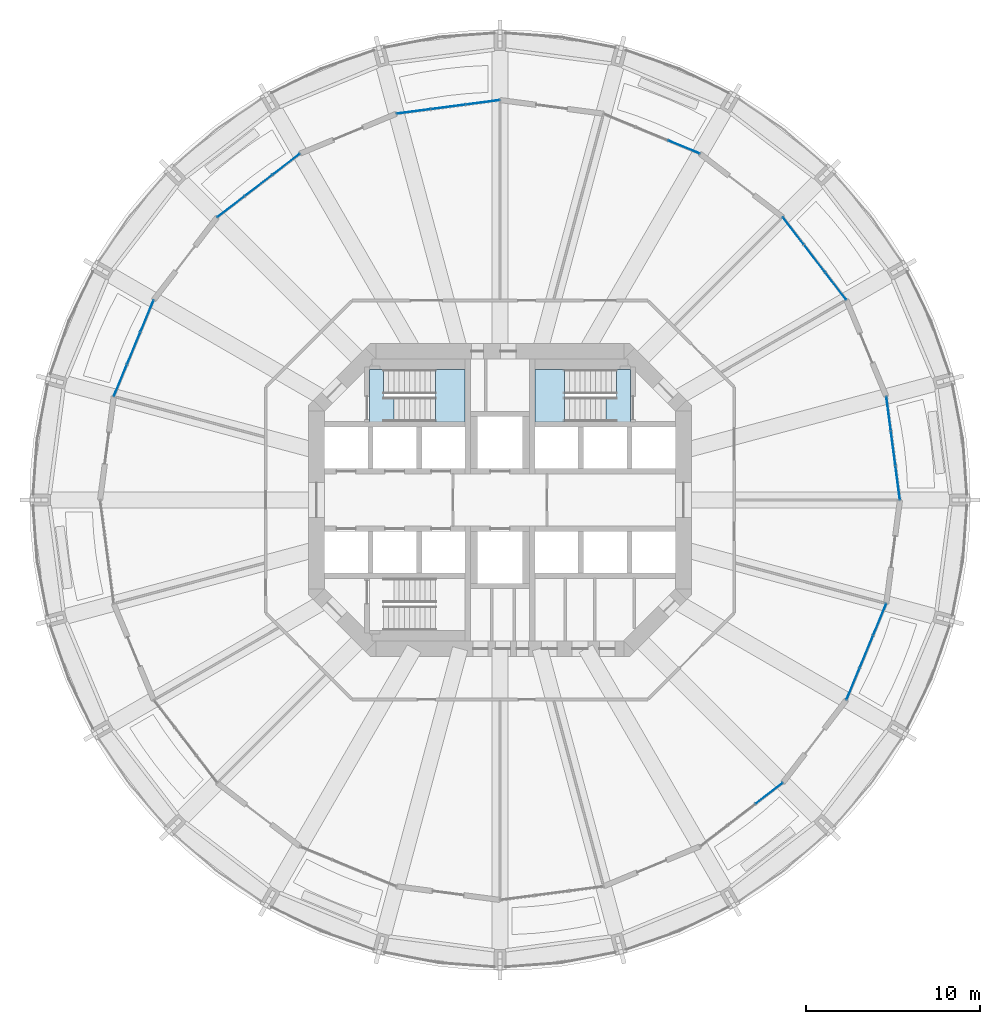
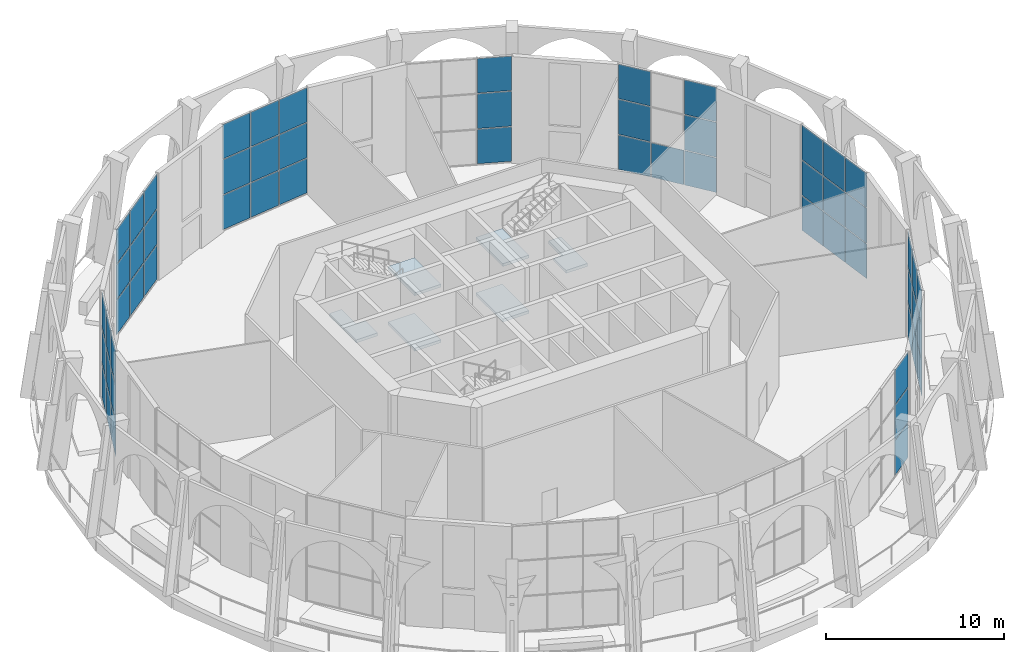
# One storey, part 11 of 19: 58 plates, 6 slabs, 10 elements without a shape of their own.
"""IFC4 building model written with IfcOpenShell, lengths in metres."""

from ifc_helpers import new_model, si_unit, direction, frame, origin, origin_2d, place, context, subcontext, project, spatial, polyline, rectangle, outline, extrude, material, layer, layer_set, type_object, element, aggregate, save


model = new_model("IFC4")

# Units and contexts
model_context = context("Model", 3, precision=1e-05, world=origin(), true_north=direction((0.0, 1.0)))
body_context = subcontext(model_context, "Body", "Model", "MODEL_VIEW")
ifc_project = project(units=[si_unit("LENGTHUNIT", "METRE"), si_unit("AREAUNIT", "SQUARE_METRE"), si_unit("VOLUMEUNIT", "CUBIC_METRE"), si_unit("PLANEANGLEUNIT", "RADIAN"), si_unit("MASSUNIT", "GRAM", prefix="KILO")], contexts=[model_context])

# Site, building, storey
site_placement = place(None, origin())
site = spatial("IfcSite", under=ifc_project, at=site_placement, CompositionType="ELEMENT")
building_placement = place(site_placement, origin())
building = spatial("IfcBuilding", under=site, at=building_placement, Name="Torre Triforio", CompositionType="ELEMENT")
storey_placement = place(building_placement, frame((0.0, 0.0, 79.0)))
storey = spatial("IfcBuildingStorey", under=building, at=storey_placement, Name="L17", CompositionType="ELEMENT", Elevation=79.0)

# Curtain wall, plates
ifc_material_1 = material(Name="Aluminium mullion and transom frame with clear laminated glass", Category="aluminium")
curtain_wall_type = type_object("IfcCurtainWallType", Name="Sky garden conservatory wall ECW3", PredefinedType="NOTDEFINED", material=ifc_material_1)
curtain_wall_1_placement = place(storey_placement, origin())
curtain_wall_1 = element("IfcCurtainWall", 1, at=curtain_wall_1_placement, inside=storey, type_object=curtain_wall_type, Name="Conservatory wall L17 bay 01", PredefinedType="NOTDEFINED")
ifc_material_2 = material(Name="Clear laminated glass", Category="glass")
ifc_layer_1 = layer(ifc_material_2, 0.028076171875)
ifc_layer_set_1 = layer_set([ifc_layer_1], Name="Clear laminated glass")
plate_type = type_object("IfcPlateType", Name="ECW3 glass panel 28", PredefinedType="CURTAIN_PANEL", material=ifc_layer_set_1)
plate_1_placement = place(storey_placement, frame((22.8701171875, 0.9873046875, 0.06005859375), z_axis=(0.0, 0.0, 1.0), x_axis=(-0.130520630599, 0.991445593559, 0.0)))
plate_1 = element("IfcPlate", 2, at=plate_1_placement, type_object=plate_type, Name="ECW3 panel 1.1", PredefinedType="CURTAIN_PANEL", context=body_context, shape_type="SweptSolid", body=[
    extrude(rectangle(XDim=1.931396484375, YDim=0.028076171875, at=origin_2d()), origin(), (0.0, 0.0, 1.0), 2.35009765625),
])
plate_2_placement = place(storey_placement, frame((22.8701171875, 0.9873046875, 2.469970703125), z_axis=(0.0, 0.0, 1.0), x_axis=(-0.130520630599, 0.991445593559, 0.0)))
plate_2 = element("IfcPlate", 3, at=plate_2_placement, type_object=plate_type, Name="ECW3 panel 1.2", PredefinedType="CURTAIN_PANEL", context=body_context, shape_type="SweptSolid", body=[
    extrude(rectangle(XDim=1.931396484375, YDim=0.028076171875, at=origin_2d()), origin(), (0.0, 0.0, 1.0), 2.3798828125),
])
plate_3_placement = place(storey_placement, frame((22.8701171875, 0.9873046875, 4.909912109375), z_axis=(0.0, 0.0, 1.0), x_axis=(-0.130520630599, 0.991445593559, 0.0)))
plate_3 = element("IfcPlate", 4, at=plate_3_placement, type_object=plate_type, Name="ECW3 panel 1.3", PredefinedType="CURTAIN_PANEL", context=body_context, shape_type="SweptSolid", body=[
    extrude(rectangle(XDim=1.931396484375, YDim=0.028076171875, at=origin_2d()), origin(), (0.0, 0.0, 1.0), 2.35009765625),
])
plate_4_placement = place(storey_placement, frame((22.608154296875, 2.9765625, 0.06005859375), z_axis=(0.0, 0.0, 1.0), x_axis=(-0.130520630599, 0.991445593559, 0.0)))
plate_4 = element("IfcPlate", 5, at=plate_4_placement, type_object=plate_type, Name="ECW3 panel 2.1", PredefinedType="CURTAIN_PANEL", context=body_context, shape_type="SweptSolid", body=[
    extrude(rectangle(XDim=1.96142578125, YDim=0.028076171875, at=origin_2d()), origin(), (0.0, 0.0, 1.0), 2.35009765625),
])
plate_5_placement = place(storey_placement, frame((22.608154296875, 2.9765625, 2.469970703125), z_axis=(0.0, 0.0, 1.0), x_axis=(-0.130520630599, 0.991445593559, 0.0)))
plate_5 = element("IfcPlate", 6, at=plate_5_placement, type_object=plate_type, Name="ECW3 panel 2.2", PredefinedType="CURTAIN_PANEL", context=body_context, shape_type="SweptSolid", body=[
    extrude(rectangle(XDim=1.96142578125, YDim=0.028076171875, at=origin_2d()), origin(), (0.0, 0.0, 1.0), 2.3798828125),
])
plate_6_placement = place(storey_placement, frame((22.608154296875, 2.9765625, 4.909912109375), z_axis=(0.0, 0.0, 1.0), x_axis=(-0.130520630599, 0.991445593559, 0.0)))
plate_6 = element("IfcPlate", 7, at=plate_6_placement, type_object=plate_type, Name="ECW3 panel 2.3", PredefinedType="CURTAIN_PANEL", context=body_context, shape_type="SweptSolid", body=[
    extrude(rectangle(XDim=1.96142578125, YDim=0.028076171875, at=origin_2d()), origin(), (0.0, 0.0, 1.0), 2.35009765625),
])
plate_7_placement = place(storey_placement, frame((22.34619140625, 4.965576171875, 0.06005859375), z_axis=(0.0, 0.0, 1.0), x_axis=(-0.130520630599, 0.991445593559, 0.0)))
plate_7 = element("IfcPlate", 8, at=plate_7_placement, type_object=plate_type, Name="ECW3 panel 3.1", PredefinedType="CURTAIN_PANEL", context=body_context, shape_type="SweptSolid", body=[
    extrude(rectangle(XDim=1.931396484375, YDim=0.028076171875, at=origin_2d()), origin(), (0.0, 0.0, 1.0), 2.35009765625),
])
plate_8_placement = place(storey_placement, frame((22.34619140625, 4.965576171875, 2.469970703125), z_axis=(0.0, 0.0, 1.0), x_axis=(-0.130520630599, 0.991445593559, 0.0)))
plate_8 = element("IfcPlate", 9, at=plate_8_placement, type_object=plate_type, Name="ECW3 panel 3.2", PredefinedType="CURTAIN_PANEL", context=body_context, shape_type="SweptSolid", body=[
    extrude(rectangle(XDim=1.931396484375, YDim=0.028076171875, at=origin_2d()), origin(), (0.0, 0.0, 1.0), 2.3798828125),
])
plate_9_placement = place(storey_placement, frame((22.34619140625, 4.965576171875, 4.909912109375), z_axis=(0.0, 0.0, 1.0), x_axis=(-0.130520630599, 0.991445593559, 0.0)))
plate_9 = element("IfcPlate", 10, at=plate_9_placement, type_object=plate_type, Name="ECW3 panel 3.3", PredefinedType="CURTAIN_PANEL", context=body_context, shape_type="SweptSolid", body=[
    extrude(rectangle(XDim=1.931396484375, YDim=0.028076171875, at=origin_2d()), origin(), (0.0, 0.0, 1.0), 2.35009765625),
])
aggregate(curtain_wall_1, [plate_1, plate_2, plate_3, plate_4, plate_5, plate_6, plate_7, plate_8, plate_9])

curtain_wall_2_placement = place(storey_placement, origin())
curtain_wall_2 = element("IfcCurtainWall", 11, at=curtain_wall_2_placement, inside=storey, type_object=curtain_wall_type, Name="Conservatory wall L17 bay 03", PredefinedType="NOTDEFINED")
plate_10_placement = place(storey_placement, frame((19.3125, 12.2900390625, 0.06005859375), z_axis=(0.0, 0.0, 1.0), x_axis=(-0.608752412461, 0.79336025885, 0.0)))
plate_10 = element("IfcPlate", 12, at=plate_10_placement, type_object=plate_type, Name="ECW3 panel 1.1", PredefinedType="CURTAIN_PANEL", context=body_context, shape_type="SweptSolid", body=[
    extrude(rectangle(XDim=1.931396484375, YDim=0.028076171875, at=origin_2d()), origin(), (0.0, 0.0, 1.0), 2.35009765625),
])
plate_11_placement = place(storey_placement, frame((19.3125, 12.2900390625, 2.469970703125), z_axis=(0.0, 0.0, 1.0), x_axis=(-0.608752412461, 0.79336025885, 0.0)))
plate_11 = element("IfcPlate", 13, at=plate_11_placement, type_object=plate_type, Name="ECW3 panel 1.2", PredefinedType="CURTAIN_PANEL", context=body_context, shape_type="SweptSolid", body=[
    extrude(rectangle(XDim=1.931396484375, YDim=0.028076171875, at=origin_2d()), origin(), (0.0, 0.0, 1.0), 2.3798828125),
])
plate_12_placement = place(storey_placement, frame((19.3125, 12.2900390625, 4.909912109375), z_axis=(0.0, 0.0, 1.0), x_axis=(-0.608752412461, 0.79336025885, 0.0)))
plate_12 = element("IfcPlate", 14, at=plate_12_placement, type_object=plate_type, Name="ECW3 panel 1.3", PredefinedType="CURTAIN_PANEL", context=body_context, shape_type="SweptSolid", body=[
    extrude(rectangle(XDim=1.931396484375, YDim=0.028076171875, at=origin_2d()), origin(), (0.0, 0.0, 1.0), 2.35009765625),
])
plate_13_placement = place(storey_placement, frame((18.091064453125, 13.8818359375, 0.06005859375), z_axis=(0.0, 0.0, 1.0), x_axis=(-0.608752412461, 0.79336025885, 0.0)))
plate_13 = element("IfcPlate", 15, at=plate_13_placement, type_object=plate_type, Name="ECW3 panel 2.1", PredefinedType="CURTAIN_PANEL", context=body_context, shape_type="SweptSolid", body=[
    extrude(rectangle(XDim=1.96142578125, YDim=0.028076171875, at=origin_2d()), origin(), (0.0, 0.0, 1.0), 2.35009765625),
])
plate_14_placement = place(storey_placement, frame((16.86962890625, 15.4736328125, 0.06005859375), z_axis=(0.0, 0.0, 1.0), x_axis=(-0.608752412461, 0.79336025885, 0.0)))
plate_14 = element("IfcPlate", 16, at=plate_14_placement, type_object=plate_type, Name="ECW3 panel 3.1", PredefinedType="CURTAIN_PANEL", context=body_context, shape_type="SweptSolid", body=[
    extrude(rectangle(XDim=1.931396484375, YDim=0.028076171875, at=origin_2d()), origin(), (0.0, 0.0, 1.0), 2.35009765625),
])
plate_15_placement = place(storey_placement, frame((16.86962890625, 15.4736328125, 2.469970703125), z_axis=(0.0, 0.0, 1.0), x_axis=(-0.608752412461, 0.79336025885, 0.0)))
plate_15 = element("IfcPlate", 17, at=plate_15_placement, type_object=plate_type, Name="ECW3 panel 3.2", PredefinedType="CURTAIN_PANEL", context=body_context, shape_type="SweptSolid", body=[
    extrude(rectangle(XDim=1.931396484375, YDim=0.028076171875, at=origin_2d()), origin(), (0.0, 0.0, 1.0), 2.3798828125),
])
plate_16_placement = place(storey_placement, frame((16.86962890625, 15.4736328125, 4.909912109375), z_axis=(0.0, 0.0, 1.0), x_axis=(-0.608752412461, 0.79336025885, 0.0)))
plate_16 = element("IfcPlate", 18, at=plate_16_placement, type_object=plate_type, Name="ECW3 panel 3.3", PredefinedType="CURTAIN_PANEL", context=body_context, shape_type="SweptSolid", body=[
    extrude(rectangle(XDim=1.931396484375, YDim=0.028076171875, at=origin_2d()), origin(), (0.0, 0.0, 1.0), 2.35009765625),
])
aggregate(curtain_wall_2, [plate_10, plate_11, plate_12, plate_13, plate_14, plate_15, plate_16])

curtain_wall_3_placement = place(storey_placement, origin())
curtain_wall_3 = element("IfcCurtainWall", 19, at=curtain_wall_3_placement, inside=storey, type_object=curtain_wall_type, Name="Conservatory wall L17 bay 05", PredefinedType="NOTDEFINED")
plate_17_placement = place(storey_placement, frame((10.580078125, 20.299560546875, 0.06005859375), z_axis=(0.0, 0.0, 1.0), x_axis=(-0.923877952799, 0.382687246105, 0.0)))
plate_17 = element("IfcPlate", 20, at=plate_17_placement, type_object=plate_type, Name="ECW3 panel 1.1", PredefinedType="CURTAIN_PANEL", context=body_context, shape_type="SweptSolid", body=[
    extrude(rectangle(XDim=1.931396484375, YDim=0.028076171875, at=origin_2d()), origin(), (0.0, 0.0, 1.0), 2.35009765625),
])
plate_18_placement = place(storey_placement, frame((10.580078125, 20.299560546875, 2.469970703125), z_axis=(0.0, 0.0, 1.0), x_axis=(-0.923877952799, 0.382687246105, 0.0)))
plate_18 = element("IfcPlate", 21, at=plate_18_placement, type_object=plate_type, Name="ECW3 panel 1.2", PredefinedType="CURTAIN_PANEL", context=body_context, shape_type="SweptSolid", body=[
    extrude(rectangle(XDim=1.931396484375, YDim=0.028076171875, at=origin_2d()), origin(), (0.0, 0.0, 1.0), 2.3798828125),
])
plate_19_placement = place(storey_placement, frame((10.580078125, 20.299560546875, 4.909912109375), z_axis=(0.0, 0.0, 1.0), x_axis=(-0.923877952799, 0.382687246105, 0.0)))
plate_19 = element("IfcPlate", 22, at=plate_19_placement, type_object=plate_type, Name="ECW3 panel 1.3", PredefinedType="CURTAIN_PANEL", context=body_context, shape_type="SweptSolid", body=[
    extrude(rectangle(XDim=1.931396484375, YDim=0.028076171875, at=origin_2d()), origin(), (0.0, 0.0, 1.0), 2.35009765625),
])
aggregate(curtain_wall_3, [plate_17, plate_18, plate_19])

curtain_wall_4_placement = place(storey_placement, origin())
curtain_wall_4 = element("IfcCurtainWall", 23, at=curtain_wall_4_placement, inside=storey, type_object=curtain_wall_type, Name="Conservatory wall L17 bay 07", PredefinedType="NOTDEFINED")
plate_20_placement = place(storey_placement, frame((-0.9873046875, 22.8701171875, 0.06005859375), z_axis=(0.0, 0.0, 1.0), x_axis=(-0.991445593559, -0.130520630599, 0.0)))
plate_20 = element("IfcPlate", 24, at=plate_20_placement, type_object=plate_type, Name="ECW3 panel 1.1", PredefinedType="CURTAIN_PANEL", context=body_context, shape_type="SweptSolid", body=[
    extrude(rectangle(XDim=1.931396484375, YDim=0.028076171875, at=origin_2d()), origin(), (0.0, 0.0, 1.0), 2.35009765625),
])
plate_21_placement = place(storey_placement, frame((-0.9873046875, 22.8701171875, 2.469970703125), z_axis=(0.0, 0.0, 1.0), x_axis=(-0.991445593559, -0.130520630599, 0.0)))
plate_21 = element("IfcPlate", 25, at=plate_21_placement, type_object=plate_type, Name="ECW3 panel 1.2", PredefinedType="CURTAIN_PANEL", context=body_context, shape_type="SweptSolid", body=[
    extrude(rectangle(XDim=1.931396484375, YDim=0.028076171875, at=origin_2d()), origin(), (0.0, 0.0, 1.0), 2.3798828125),
])
plate_22_placement = place(storey_placement, frame((-0.9873046875, 22.8701171875, 4.909912109375), z_axis=(0.0, 0.0, 1.0), x_axis=(-0.991445593559, -0.130520630599, 0.0)))
plate_22 = element("IfcPlate", 26, at=plate_22_placement, type_object=plate_type, Name="ECW3 panel 1.3", PredefinedType="CURTAIN_PANEL", context=body_context, shape_type="SweptSolid", body=[
    extrude(rectangle(XDim=1.931396484375, YDim=0.028076171875, at=origin_2d()), origin(), (0.0, 0.0, 1.0), 2.35009765625),
])
plate_23_placement = place(storey_placement, frame((-2.9765625, 22.608154296875, 0.06005859375), z_axis=(0.0, 0.0, 1.0), x_axis=(-0.991445593559, -0.130520630599, 0.0)))
plate_23 = element("IfcPlate", 27, at=plate_23_placement, type_object=plate_type, Name="ECW3 panel 2.1", PredefinedType="CURTAIN_PANEL", context=body_context, shape_type="SweptSolid", body=[
    extrude(rectangle(XDim=1.96142578125, YDim=0.028076171875, at=origin_2d()), origin(), (0.0, 0.0, 1.0), 2.35009765625),
])
plate_24_placement = place(storey_placement, frame((-2.9765625, 22.608154296875, 2.469970703125), z_axis=(0.0, 0.0, 1.0), x_axis=(-0.991445593559, -0.130520630599, 0.0)))
plate_24 = element("IfcPlate", 28, at=plate_24_placement, type_object=plate_type, Name="ECW3 panel 2.2", PredefinedType="CURTAIN_PANEL", context=body_context, shape_type="SweptSolid", body=[
    extrude(rectangle(XDim=1.96142578125, YDim=0.028076171875, at=origin_2d()), origin(), (0.0, 0.0, 1.0), 2.3798828125),
])
plate_25_placement = place(storey_placement, frame((-2.9765625, 22.608154296875, 4.909912109375), z_axis=(0.0, 0.0, 1.0), x_axis=(-0.991445593559, -0.130520630599, 0.0)))
plate_25 = element("IfcPlate", 29, at=plate_25_placement, type_object=plate_type, Name="ECW3 panel 2.3", PredefinedType="CURTAIN_PANEL", context=body_context, shape_type="SweptSolid", body=[
    extrude(rectangle(XDim=1.96142578125, YDim=0.028076171875, at=origin_2d()), origin(), (0.0, 0.0, 1.0), 2.35009765625),
])
plate_26_placement = place(storey_placement, frame((-4.965576171875, 22.34619140625, 0.06005859375), z_axis=(0.0, 0.0, 1.0), x_axis=(-0.991445593559, -0.130520630599, 0.0)))
plate_26 = element("IfcPlate", 30, at=plate_26_placement, type_object=plate_type, Name="ECW3 panel 3.1", PredefinedType="CURTAIN_PANEL", context=body_context, shape_type="SweptSolid", body=[
    extrude(rectangle(XDim=1.931396484375, YDim=0.028076171875, at=origin_2d()), origin(), (0.0, 0.0, 1.0), 2.35009765625),
])
plate_27_placement = place(storey_placement, frame((-4.965576171875, 22.34619140625, 2.469970703125), z_axis=(0.0, 0.0, 1.0), x_axis=(-0.991445593559, -0.130520630599, 0.0)))
plate_27 = element("IfcPlate", 31, at=plate_27_placement, type_object=plate_type, Name="ECW3 panel 3.2", PredefinedType="CURTAIN_PANEL", context=body_context, shape_type="SweptSolid", body=[
    extrude(rectangle(XDim=1.931396484375, YDim=0.028076171875, at=origin_2d()), origin(), (0.0, 0.0, 1.0), 2.3798828125),
])
plate_28_placement = place(storey_placement, frame((-4.965576171875, 22.34619140625, 4.909912109375), z_axis=(0.0, 0.0, 1.0), x_axis=(-0.991445593559, -0.130520630599, 0.0)))
plate_28 = element("IfcPlate", 32, at=plate_28_placement, type_object=plate_type, Name="ECW3 panel 3.3", PredefinedType="CURTAIN_PANEL", context=body_context, shape_type="SweptSolid", body=[
    extrude(rectangle(XDim=1.931396484375, YDim=0.028076171875, at=origin_2d()), origin(), (0.0, 0.0, 1.0), 2.35009765625),
])
aggregate(curtain_wall_4, [plate_20, plate_21, plate_22, plate_23, plate_24, plate_25, plate_26, plate_27, plate_28])

curtain_wall_5_placement = place(storey_placement, origin())
curtain_wall_5 = element("IfcCurtainWall", 33, at=curtain_wall_5_placement, inside=storey, type_object=curtain_wall_type, Name="Conservatory wall L17 bay 09", PredefinedType="NOTDEFINED")
plate_29_placement = place(storey_placement, frame((-12.2900390625, 19.3125, 0.06005859375), z_axis=(0.0, 0.0, 1.0), x_axis=(-0.79336025885, -0.608752412461, 0.0)))
plate_29 = element("IfcPlate", 34, at=plate_29_placement, type_object=plate_type, Name="ECW3 panel 1.1", PredefinedType="CURTAIN_PANEL", context=body_context, shape_type="SweptSolid", body=[
    extrude(rectangle(XDim=1.931396484375, YDim=0.028076171875, at=origin_2d()), origin(), (0.0, 0.0, 1.0), 2.35009765625),
])
plate_30_placement = place(storey_placement, frame((-12.2900390625, 19.3125, 2.469970703125), z_axis=(0.0, 0.0, 1.0), x_axis=(-0.79336025885, -0.608752412461, 0.0)))
plate_30 = element("IfcPlate", 35, at=plate_30_placement, type_object=plate_type, Name="ECW3 panel 1.2", PredefinedType="CURTAIN_PANEL", context=body_context, shape_type="SweptSolid", body=[
    extrude(rectangle(XDim=1.931396484375, YDim=0.028076171875, at=origin_2d()), origin(), (0.0, 0.0, 1.0), 2.3798828125),
])
plate_31_placement = place(storey_placement, frame((-12.2900390625, 19.3125, 4.909912109375), z_axis=(0.0, 0.0, 1.0), x_axis=(-0.79336025885, -0.608752412461, 0.0)))
plate_31 = element("IfcPlate", 36, at=plate_31_placement, type_object=plate_type, Name="ECW3 panel 1.3", PredefinedType="CURTAIN_PANEL", context=body_context, shape_type="SweptSolid", body=[
    extrude(rectangle(XDim=1.931396484375, YDim=0.028076171875, at=origin_2d()), origin(), (0.0, 0.0, 1.0), 2.35009765625),
])
plate_32_placement = place(storey_placement, frame((-13.8818359375, 18.091064453125, 0.06005859375), z_axis=(0.0, 0.0, 1.0), x_axis=(-0.79336025885, -0.608752412461, 0.0)))
plate_32 = element("IfcPlate", 37, at=plate_32_placement, type_object=plate_type, Name="ECW3 panel 2.1", PredefinedType="CURTAIN_PANEL", context=body_context, shape_type="SweptSolid", body=[
    extrude(rectangle(XDim=1.96142578125, YDim=0.028076171875, at=origin_2d()), origin(), (0.0, 0.0, 1.0), 2.35009765625),
])
plate_33_placement = place(storey_placement, frame((-13.8818359375, 18.091064453125, 2.469970703125), z_axis=(0.0, 0.0, 1.0), x_axis=(-0.79336025885, -0.608752412461, 0.0)))
plate_33 = element("IfcPlate", 38, at=plate_33_placement, type_object=plate_type, Name="ECW3 panel 2.2", PredefinedType="CURTAIN_PANEL", context=body_context, shape_type="SweptSolid", body=[
    extrude(rectangle(XDim=1.96142578125, YDim=0.028076171875, at=origin_2d()), origin(), (0.0, 0.0, 1.0), 2.3798828125),
])
plate_34_placement = place(storey_placement, frame((-13.8818359375, 18.091064453125, 4.909912109375), z_axis=(0.0, 0.0, 1.0), x_axis=(-0.79336025885, -0.608752412461, 0.0)))
plate_34 = element("IfcPlate", 39, at=plate_34_placement, type_object=plate_type, Name="ECW3 panel 2.3", PredefinedType="CURTAIN_PANEL", context=body_context, shape_type="SweptSolid", body=[
    extrude(rectangle(XDim=1.96142578125, YDim=0.028076171875, at=origin_2d()), origin(), (0.0, 0.0, 1.0), 2.35009765625),
])
plate_35_placement = place(storey_placement, frame((-15.4736328125, 16.86962890625, 0.06005859375), z_axis=(0.0, 0.0, 1.0), x_axis=(-0.79336025885, -0.608752412461, 0.0)))
plate_35 = element("IfcPlate", 40, at=plate_35_placement, type_object=plate_type, Name="ECW3 panel 3.1", PredefinedType="CURTAIN_PANEL", context=body_context, shape_type="SweptSolid", body=[
    extrude(rectangle(XDim=1.931396484375, YDim=0.028076171875, at=origin_2d()), origin(), (0.0, 0.0, 1.0), 2.35009765625),
])
plate_36_placement = place(storey_placement, frame((-15.4736328125, 16.86962890625, 2.469970703125), z_axis=(0.0, 0.0, 1.0), x_axis=(-0.79336025885, -0.608752412461, 0.0)))
plate_36 = element("IfcPlate", 41, at=plate_36_placement, type_object=plate_type, Name="ECW3 panel 3.2", PredefinedType="CURTAIN_PANEL", context=body_context, shape_type="SweptSolid", body=[
    extrude(rectangle(XDim=1.931396484375, YDim=0.028076171875, at=origin_2d()), origin(), (0.0, 0.0, 1.0), 2.3798828125),
])
plate_37_placement = place(storey_placement, frame((-15.4736328125, 16.86962890625, 4.909912109375), z_axis=(0.0, 0.0, 1.0), x_axis=(-0.79336025885, -0.608752412461, 0.0)))
plate_37 = element("IfcPlate", 42, at=plate_37_placement, type_object=plate_type, Name="ECW3 panel 3.3", PredefinedType="CURTAIN_PANEL", context=body_context, shape_type="SweptSolid", body=[
    extrude(rectangle(XDim=1.931396484375, YDim=0.028076171875, at=origin_2d()), origin(), (0.0, 0.0, 1.0), 2.35009765625),
])
aggregate(curtain_wall_5, [plate_29, plate_30, plate_31, plate_32, plate_33, plate_34, plate_35, plate_36, plate_37])

curtain_wall_6_placement = place(storey_placement, origin())
curtain_wall_6 = element("IfcCurtainWall", 43, at=curtain_wall_6_placement, inside=storey, type_object=curtain_wall_type, Name="Conservatory wall L17 bay 11", PredefinedType="NOTDEFINED")
plate_38_placement = place(storey_placement, frame((-20.299560546875, 10.580078125, 0.06005859375), z_axis=(0.0, 0.0, 1.0), x_axis=(-0.382687246105, -0.923877952799, 0.0)))
plate_38 = element("IfcPlate", 44, at=plate_38_placement, type_object=plate_type, Name="ECW3 panel 1.1", PredefinedType="CURTAIN_PANEL", context=body_context, shape_type="SweptSolid", body=[
    extrude(rectangle(XDim=1.931396484375, YDim=0.028076171875, at=origin_2d()), origin(), (0.0, 0.0, 1.0), 2.35009765625),
])
plate_39_placement = place(storey_placement, frame((-20.299560546875, 10.580078125, 2.469970703125), z_axis=(0.0, 0.0, 1.0), x_axis=(-0.382687246105, -0.923877952799, 0.0)))
plate_39 = element("IfcPlate", 45, at=plate_39_placement, type_object=plate_type, Name="ECW3 panel 1.2", PredefinedType="CURTAIN_PANEL", context=body_context, shape_type="SweptSolid", body=[
    extrude(rectangle(XDim=1.931396484375, YDim=0.028076171875, at=origin_2d()), origin(), (0.0, 0.0, 1.0), 2.3798828125),
])
plate_40_placement = place(storey_placement, frame((-20.299560546875, 10.580078125, 4.909912109375), z_axis=(0.0, 0.0, 1.0), x_axis=(-0.382687246105, -0.923877952799, 0.0)))
plate_40 = element("IfcPlate", 46, at=plate_40_placement, type_object=plate_type, Name="ECW3 panel 1.3", PredefinedType="CURTAIN_PANEL", context=body_context, shape_type="SweptSolid", body=[
    extrude(rectangle(XDim=1.931396484375, YDim=0.028076171875, at=origin_2d()), origin(), (0.0, 0.0, 1.0), 2.35009765625),
])
plate_41_placement = place(storey_placement, frame((-21.0673828125, 8.726318359375, 0.06005859375), z_axis=(0.0, 0.0, 1.0), x_axis=(-0.382687246105, -0.923877952799, 0.0)))
plate_41 = element("IfcPlate", 47, at=plate_41_placement, type_object=plate_type, Name="ECW3 panel 2.1", PredefinedType="CURTAIN_PANEL", context=body_context, shape_type="SweptSolid", body=[
    extrude(rectangle(XDim=1.96142578125, YDim=0.028076171875, at=origin_2d()), origin(), (0.0, 0.0, 1.0), 2.35009765625),
])
plate_42_placement = place(storey_placement, frame((-21.0673828125, 8.726318359375, 2.469970703125), z_axis=(0.0, 0.0, 1.0), x_axis=(-0.382687246105, -0.923877952799, 0.0)))
plate_42 = element("IfcPlate", 48, at=plate_42_placement, type_object=plate_type, Name="ECW3 panel 2.2", PredefinedType="CURTAIN_PANEL", context=body_context, shape_type="SweptSolid", body=[
    extrude(rectangle(XDim=1.96142578125, YDim=0.028076171875, at=origin_2d()), origin(), (0.0, 0.0, 1.0), 2.3798828125),
])
plate_43_placement = place(storey_placement, frame((-21.0673828125, 8.726318359375, 4.909912109375), z_axis=(0.0, 0.0, 1.0), x_axis=(-0.382687246105, -0.923877952799, 0.0)))
plate_43 = element("IfcPlate", 49, at=plate_43_placement, type_object=plate_type, Name="ECW3 panel 2.3", PredefinedType="CURTAIN_PANEL", context=body_context, shape_type="SweptSolid", body=[
    extrude(rectangle(XDim=1.96142578125, YDim=0.028076171875, at=origin_2d()), origin(), (0.0, 0.0, 1.0), 2.35009765625),
])
plate_44_placement = place(storey_placement, frame((-21.835205078125, 6.872802734375, 0.06005859375), z_axis=(0.0, 0.0, 1.0), x_axis=(-0.382687246105, -0.923877952799, 0.0)))
plate_44 = element("IfcPlate", 50, at=plate_44_placement, type_object=plate_type, Name="ECW3 panel 3.1", PredefinedType="CURTAIN_PANEL", context=body_context, shape_type="SweptSolid", body=[
    extrude(rectangle(XDim=1.931396484375, YDim=0.028076171875, at=origin_2d()), origin(), (0.0, 0.0, 1.0), 2.35009765625),
])
plate_45_placement = place(storey_placement, frame((-21.835205078125, 6.872802734375, 2.469970703125), z_axis=(0.0, 0.0, 1.0), x_axis=(-0.382687246105, -0.923877952799, 0.0)))
plate_45 = element("IfcPlate", 51, at=plate_45_placement, type_object=plate_type, Name="ECW3 panel 3.2", PredefinedType="CURTAIN_PANEL", context=body_context, shape_type="SweptSolid", body=[
    extrude(rectangle(XDim=1.931396484375, YDim=0.028076171875, at=origin_2d()), origin(), (0.0, 0.0, 1.0), 2.3798828125),
])
plate_46_placement = place(storey_placement, frame((-21.835205078125, 6.872802734375, 4.909912109375), z_axis=(0.0, 0.0, 1.0), x_axis=(-0.382687246105, -0.923877952799, 0.0)))
plate_46 = element("IfcPlate", 52, at=plate_46_placement, type_object=plate_type, Name="ECW3 panel 3.3", PredefinedType="CURTAIN_PANEL", context=body_context, shape_type="SweptSolid", body=[
    extrude(rectangle(XDim=1.931396484375, YDim=0.028076171875, at=origin_2d()), origin(), (0.0, 0.0, 1.0), 2.35009765625),
])
aggregate(curtain_wall_6, [plate_38, plate_39, plate_40, plate_41, plate_42, plate_43, plate_44, plate_45, plate_46])

curtain_wall_7_placement = place(storey_placement, origin())
curtain_wall_7 = element("IfcCurtainWall", 53, at=curtain_wall_7_placement, inside=storey, type_object=curtain_wall_type, Name="Conservatory wall L17 bay 21", PredefinedType="NOTDEFINED")
plate_47_placement = place(storey_placement, frame((15.4736328125, -16.86962890625, 0.06005859375), z_axis=(0.0, 0.0, 1.0), x_axis=(0.79336025885, 0.608752412461, 0.0)))
plate_47 = element("IfcPlate", 54, at=plate_47_placement, type_object=plate_type, Name="ECW3 panel 3.1", PredefinedType="CURTAIN_PANEL", context=body_context, shape_type="SweptSolid", body=[
    extrude(rectangle(XDim=1.931396484375, YDim=0.028076171875, at=origin_2d()), origin(), (0.0, 0.0, 1.0), 2.35009765625),
])
plate_48_placement = place(storey_placement, frame((15.4736328125, -16.86962890625, 2.469970703125), z_axis=(0.0, 0.0, 1.0), x_axis=(0.79336025885, 0.608752412461, 0.0)))
plate_48 = element("IfcPlate", 55, at=plate_48_placement, type_object=plate_type, Name="ECW3 panel 3.2", PredefinedType="CURTAIN_PANEL", context=body_context, shape_type="SweptSolid", body=[
    extrude(rectangle(XDim=1.931396484375, YDim=0.028076171875, at=origin_2d()), origin(), (0.0, 0.0, 1.0), 2.3798828125),
])
plate_49_placement = place(storey_placement, frame((15.4736328125, -16.86962890625, 4.909912109375), z_axis=(0.0, 0.0, 1.0), x_axis=(0.79336025885, 0.608752412461, 0.0)))
plate_49 = element("IfcPlate", 56, at=plate_49_placement, type_object=plate_type, Name="ECW3 panel 3.3", PredefinedType="CURTAIN_PANEL", context=body_context, shape_type="SweptSolid", body=[
    extrude(rectangle(XDim=1.931396484375, YDim=0.028076171875, at=origin_2d()), origin(), (0.0, 0.0, 1.0), 2.35009765625),
])
aggregate(curtain_wall_7, [plate_47, plate_48, plate_49])

curtain_wall_8_placement = place(storey_placement, origin())
curtain_wall_8 = element("IfcCurtainWall", 57, at=curtain_wall_8_placement, inside=storey, type_object=curtain_wall_type, Name="Conservatory wall L17 bay 23", PredefinedType="NOTDEFINED")
plate_50_placement = place(storey_placement, frame((20.299560546875, -10.580078125, 0.06005859375), z_axis=(0.0, 0.0, 1.0), x_axis=(0.382687246105, 0.923877952799, 0.0)))
plate_50 = element("IfcPlate", 58, at=plate_50_placement, type_object=plate_type, Name="ECW3 panel 1.1", PredefinedType="CURTAIN_PANEL", context=body_context, shape_type="SweptSolid", body=[
    extrude(rectangle(XDim=1.931396484375, YDim=0.028076171875, at=origin_2d()), origin(), (0.0, 0.0, 1.0), 2.35009765625),
])
plate_51_placement = place(storey_placement, frame((20.299560546875, -10.580078125, 2.469970703125), z_axis=(0.0, 0.0, 1.0), x_axis=(0.382687246105, 0.923877952799, 0.0)))
plate_51 = element("IfcPlate", 59, at=plate_51_placement, type_object=plate_type, Name="ECW3 panel 1.2", PredefinedType="CURTAIN_PANEL", context=body_context, shape_type="SweptSolid", body=[
    extrude(rectangle(XDim=1.931396484375, YDim=0.028076171875, at=origin_2d()), origin(), (0.0, 0.0, 1.0), 2.3798828125),
])
plate_52_placement = place(storey_placement, frame((20.299560546875, -10.580078125, 4.909912109375), z_axis=(0.0, 0.0, 1.0), x_axis=(0.382687246105, 0.923877952799, 0.0)))
plate_52 = element("IfcPlate", 60, at=plate_52_placement, type_object=plate_type, Name="ECW3 panel 1.3", PredefinedType="CURTAIN_PANEL", context=body_context, shape_type="SweptSolid", body=[
    extrude(rectangle(XDim=1.931396484375, YDim=0.028076171875, at=origin_2d()), origin(), (0.0, 0.0, 1.0), 2.35009765625),
])
plate_53_placement = place(storey_placement, frame((21.0673828125, -8.726318359375, 0.06005859375), z_axis=(0.0, 0.0, 1.0), x_axis=(0.382687246105, 0.923877952799, 0.0)))
plate_53 = element("IfcPlate", 61, at=plate_53_placement, type_object=plate_type, Name="ECW3 panel 2.1", PredefinedType="CURTAIN_PANEL", context=body_context, shape_type="SweptSolid", body=[
    extrude(rectangle(XDim=1.96142578125, YDim=0.028076171875, at=origin_2d()), origin(), (0.0, 0.0, 1.0), 2.35009765625),
])
plate_54_placement = place(storey_placement, frame((21.0673828125, -8.726318359375, 2.469970703125), z_axis=(0.0, 0.0, 1.0), x_axis=(0.382687246105, 0.923877952799, 0.0)))
plate_54 = element("IfcPlate", 62, at=plate_54_placement, type_object=plate_type, Name="ECW3 panel 2.2", PredefinedType="CURTAIN_PANEL", context=body_context, shape_type="SweptSolid", body=[
    extrude(rectangle(XDim=1.96142578125, YDim=0.028076171875, at=origin_2d()), origin(), (0.0, 0.0, 1.0), 2.3798828125),
])
plate_55_placement = place(storey_placement, frame((21.0673828125, -8.726318359375, 4.909912109375), z_axis=(0.0, 0.0, 1.0), x_axis=(0.382687246105, 0.923877952799, 0.0)))
plate_55 = element("IfcPlate", 63, at=plate_55_placement, type_object=plate_type, Name="ECW3 panel 2.3", PredefinedType="CURTAIN_PANEL", context=body_context, shape_type="SweptSolid", body=[
    extrude(rectangle(XDim=1.96142578125, YDim=0.028076171875, at=origin_2d()), origin(), (0.0, 0.0, 1.0), 2.35009765625),
])
plate_56_placement = place(storey_placement, frame((21.835205078125, -6.872802734375, 0.06005859375), z_axis=(0.0, 0.0, 1.0), x_axis=(0.382687246105, 0.923877952799, 0.0)))
plate_56 = element("IfcPlate", 64, at=plate_56_placement, type_object=plate_type, Name="ECW3 panel 3.1", PredefinedType="CURTAIN_PANEL", context=body_context, shape_type="SweptSolid", body=[
    extrude(rectangle(XDim=1.931396484375, YDim=0.028076171875, at=origin_2d()), origin(), (0.0, 0.0, 1.0), 2.35009765625),
])
plate_57_placement = place(storey_placement, frame((21.835205078125, -6.872802734375, 2.469970703125), z_axis=(0.0, 0.0, 1.0), x_axis=(0.382687246105, 0.923877952799, 0.0)))
plate_57 = element("IfcPlate", 65, at=plate_57_placement, type_object=plate_type, Name="ECW3 panel 3.2", PredefinedType="CURTAIN_PANEL", context=body_context, shape_type="SweptSolid", body=[
    extrude(rectangle(XDim=1.931396484375, YDim=0.028076171875, at=origin_2d()), origin(), (0.0, 0.0, 1.0), 2.3798828125),
])
plate_58_placement = place(storey_placement, frame((21.835205078125, -6.872802734375, 4.909912109375), z_axis=(0.0, 0.0, 1.0), x_axis=(0.382687246105, 0.923877952799, 0.0)))
plate_58 = element("IfcPlate", 66, at=plate_58_placement, type_object=plate_type, Name="ECW3 panel 3.3", PredefinedType="CURTAIN_PANEL", context=body_context, shape_type="SweptSolid", body=[
    extrude(rectangle(XDim=1.931396484375, YDim=0.028076171875, at=origin_2d()), origin(), (0.0, 0.0, 1.0), 2.35009765625),
])
aggregate(curtain_wall_8, [plate_50, plate_51, plate_52, plate_53, plate_54, plate_55, plate_56, plate_57, plate_58])

# Stair, slabs
ifc_material_3 = material(Name="Concrete C40", Category="concrete")
stair_type = type_object("IfcStairType", Name="STAIR DOUBLE RETURN", PredefinedType="DOUBLE_RETURN_STAIR", material=ifc_material_3)
stair_1_placement = place(storey_placement, origin())
stair_1 = element("IfcStair", 67, at=stair_1_placement, inside=storey, type_object=stair_type, Name="Exit stair 1", PredefinedType="DOUBLE_RETURN_STAIR")
ifc_layer_2 = layer(ifc_material_3, 0.199951171875)
ifc_layer_set_2 = layer_set([ifc_layer_2], Name="Concrete C40")
slab_type = type_object("IfcSlabType", Name="STAIR LANDING 200", PredefinedType="LANDING", material=ifc_layer_set_2)
slab_1_placement = place(storey_placement, frame((0.0, 0.0, 1.699951171875)))
slab_1 = element("IfcSlab", 68, at=slab_1_placement, type_object=slab_type, Name="ST1 landing 1", PredefinedType="LANDING", context=body_context, shape_type="SweptSolid", body=[
    extrude(outline(polyline([(-2.0, 4.5), (-2.0, 7.5), (-3.699951171875, 7.5), (-3.699951171875, 4.5), (-2.0, 4.5)])), origin(), (0.0, 0.0, 1.0), 0.199951171875),
])
slab_2_placement = place(storey_placement, frame((0.0, 0.0, 3.60009765625)))
slab_2 = element("IfcSlab", 69, at=slab_2_placement, type_object=slab_type, Name="ST1 landing 2", PredefinedType="LANDING", context=body_context, shape_type="SweptSolid", body=[
    extrude(outline(polyline([(-6.10009765625, 5.89990234375), (-6.10009765625, 4.5), (-6.696044921875, 4.5), (-6.699951171875, 4.5), (-7.5, 4.5), (-7.5, 7.5), (-6.696044921875, 7.5), (-6.696044921875, 5.89990234375), (-6.10009765625, 5.89990234375)])), origin(), (0.0, 0.0, 1.0), 0.199951171875),
])
slab_3_placement = place(storey_placement, frame((0.0, 0.0, 5.5)))
slab_3 = element("IfcSlab", 70, at=slab_3_placement, type_object=slab_type, Name="ST1 landing 3", PredefinedType="LANDING", context=body_context, shape_type="SweptSolid", body=[
    extrude(outline(polyline([(-2.0, 4.5), (-2.0, 7.5), (-3.699951171875, 7.5), (-3.699951171875, 4.5), (-2.0, 4.5)])), origin(), (0.0, 0.0, 1.0), 0.199951171875),
])
aggregate(stair_1, [slab_1, slab_2, slab_3])

stair_2_placement = place(storey_placement, origin())
stair_2 = element("IfcStair", 71, at=stair_2_placement, inside=storey, type_object=stair_type, Name="Exit stair 2", PredefinedType="DOUBLE_RETURN_STAIR")
slab_4_placement = place(storey_placement, frame((0.0, 0.0, 1.699951171875)))
slab_4 = element("IfcSlab", 72, at=slab_4_placement, type_object=slab_type, Name="ST2 landing 1", PredefinedType="LANDING", context=body_context, shape_type="SweptSolid", body=[
    extrude(outline(polyline([(3.699951171875, 4.5), (3.699951171875, 7.5), (2.0, 7.5), (2.0, 4.5), (3.699951171875, 4.5)])), origin(), (0.0, 0.0, 1.0), 0.199951171875),
])
slab_5_placement = place(storey_placement, frame((0.0, 0.0, 3.60009765625)))
slab_5 = element("IfcSlab", 73, at=slab_5_placement, type_object=slab_type, Name="ST2 landing 2", PredefinedType="LANDING", context=body_context, shape_type="SweptSolid", body=[
    extrude(outline(polyline([(6.10009765625, 4.5), (6.10009765625, 5.89990234375), (6.696044921875, 5.89990234375), (6.696044921875, 7.5), (7.5, 7.5), (7.5, 4.5), (6.699951171875, 4.5), (6.696044921875, 4.5), (6.10009765625, 4.5)])), origin(), (0.0, 0.0, 1.0), 0.199951171875),
])
slab_6_placement = place(storey_placement, frame((0.0, 0.0, 5.5)))
slab_6 = element("IfcSlab", 74, at=slab_6_placement, type_object=slab_type, Name="ST2 landing 3", PredefinedType="LANDING", context=body_context, shape_type="SweptSolid", body=[
    extrude(outline(polyline([(3.699951171875, 4.5), (3.699951171875, 7.5), (2.0, 7.5), (2.0, 4.5), (3.699951171875, 4.5)])), origin(), (0.0, 0.0, 1.0), 0.199951171875),
])
aggregate(stair_2, [slab_4, slab_5, slab_6])

save(model, "model.ifc")
